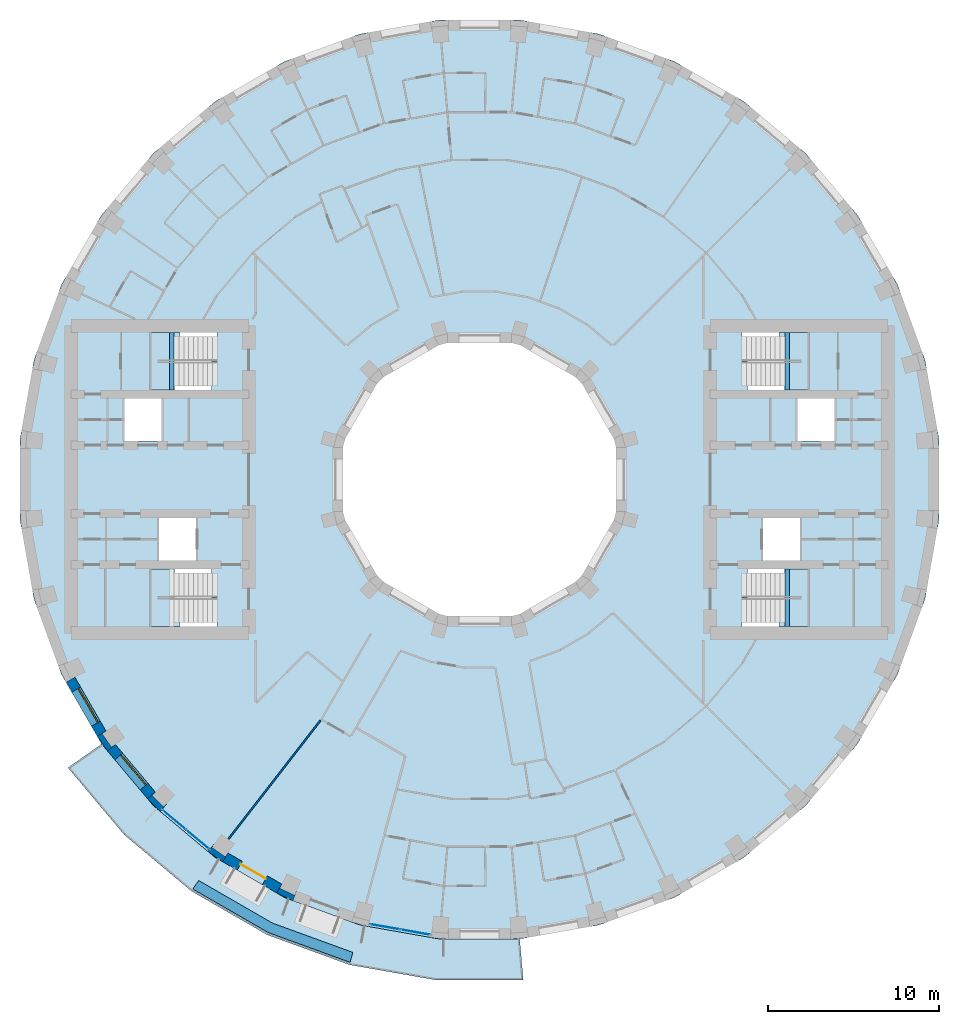
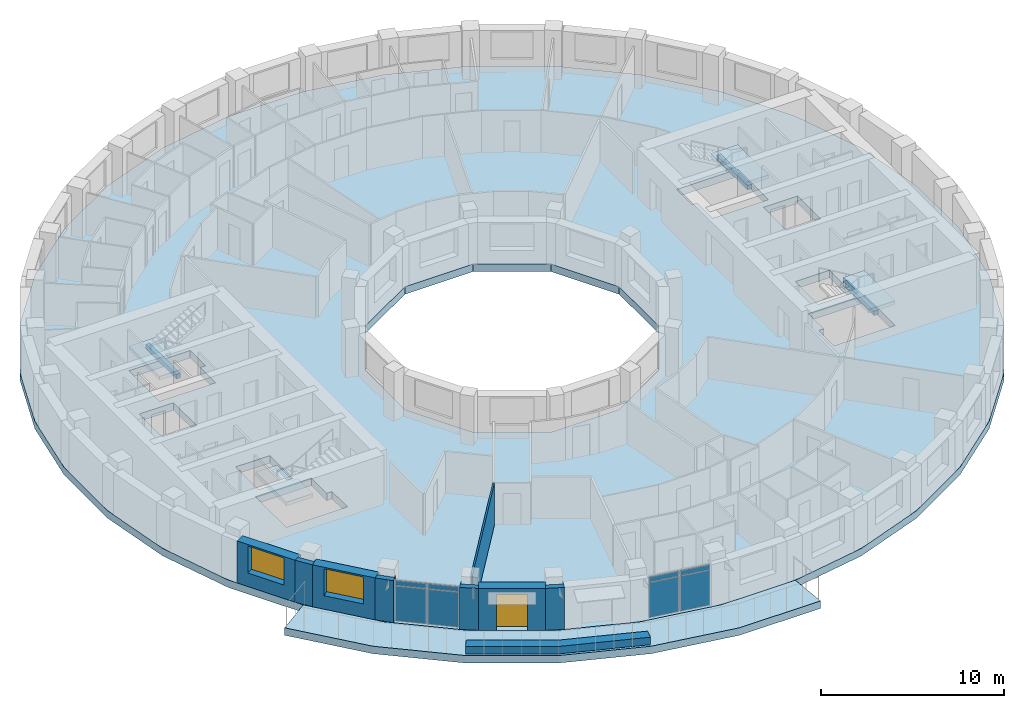
# One storey, part 3 of 14: 9 walls, 8 plates, 6 slabs, 3 beams, 2 windows, 1 door, 3 openings, 6 elements without a shape of their own.
"""IFC4 building model written with IfcOpenShell, lengths in metres."""

from ifc_helpers import new_model, si_unit, direction, frame, frame_2d, origin, origin_2d, place, context, subcontext, project, spatial, polyline, rectangle, outline, extrude, material, layer, layer_set, material_profile, profile_set, type_object, element, fill, aggregate, save


model = new_model("IFC4")

# Units and contexts
model_context = context("Model", 3, precision=1e-05, world=origin(), true_north=direction((0.0, 1.0)))
body_context = subcontext(model_context, "Body", "Model", "MODEL_VIEW")
ifc_project = project(units=[si_unit("LENGTHUNIT", "METRE"), si_unit("AREAUNIT", "SQUARE_METRE"), si_unit("VOLUMEUNIT", "CUBIC_METRE"), si_unit("PLANEANGLEUNIT", "RADIAN"), si_unit("MASSUNIT", "GRAM", prefix="KILO")], contexts=[model_context])

# Site, building, storey
site_placement = place(None, origin())
site = spatial("IfcSite", under=ifc_project, at=site_placement, CompositionType="ELEMENT")
building_placement = place(site_placement, origin())
building = spatial("IfcBuilding", under=site, at=building_placement, Name="Saqina Gate Tower", CompositionType="ELEMENT")
storey_placement = place(building_placement, frame((0.0, 0.0, 134.800048828125)))
storey = spatial("IfcBuildingStorey", under=building, at=storey_placement, Name="L38", CompositionType="ELEMENT", Elevation=134.800048828125)

# Beams
ifc_material_1 = material(Name="Concrete C40/50", Category="concrete")
ifc_material_profile = material_profile(ifc_material_1, rectangle(XDim=0.25, YDim=0.300048828125, at=origin_2d()), Name="STAIR LANDING BEAM")
ifc_profile_set = profile_set([ifc_material_profile], Name="Concrete C40/50")
beam_type = type_object("IfcBeamType", Name="STAIR LANDING BEAM", PredefinedType="BEAM", material=ifc_profile_set)
for number, where, z_axis, x_axis, name in (
    (1, (18.02001953125, 5.25, 1.25), (0.0, 1.0, 0.0), (-1.0, 0.0, 0.0), "EXIT STAIR 1 LANDING BEAM"),
    (2, (18.02001953125, -8.60009765625, 1.25), (0.0, 1.0, 0.0), (-1.0, 0.0, 0.0), "EXIT STAIR 2 LANDING BEAM"),
    (3, (-18.02001953125, 5.25, 1.25), (0.0, 1.0, 0.0), (-1.0, 0.0, 0.0), "EXIT STAIR 3 LANDING BEAM"),
):
    element("IfcBeam", number, at=place(storey_placement, frame(where, z_axis=z_axis, x_axis=x_axis)), inside=storey, type_object=beam_type, Name=name, PredefinedType="BEAM", context=body_context, shape_type="SweptSolid", body=[
        extrude(rectangle(XDim=0.25, YDim=0.300048828125, at=origin_2d()), origin(), (0.0, 0.0, 1.0), 3.35009765625),
    ])

# Curtain wall, plates
ifc_material_2 = material(Name="Aluminium glazing", Category="aluminium")
ifc_layer_1 = layer(ifc_material_2, 0.159912109375)
ifc_layer_set_1 = layer_set([ifc_layer_1], Name="CWT-4")
curtain_wall_type = type_object("IfcCurtainWallType", Name="CWT-4", PredefinedType="NOTDEFINED", material=ifc_layer_set_1)
curtain_wall_1_placement = place(storey_placement, origin())
curtain_wall_1 = element("IfcCurtainWall", 4, at=curtain_wall_1_placement, inside=storey, type_object=curtain_wall_type, Name="Terrace lounge glazing facet 23", PredefinedType="NOTDEFINED")
ifc_material_3 = material(Name="Glass", Category="glass")
ifc_layer_2 = layer(ifc_material_3, 0.028076171875)
ifc_layer_set_2 = layer_set([ifc_layer_2], Name="CWT-4P")
plate_type = type_object("IfcPlateType", Name="CWT-4P", PredefinedType="CURTAIN_PANEL", material=ifc_layer_set_2)
plate_1_placement = place(storey_placement, frame((-17.8798828125, -19.9130859375, 0.059814453125), z_axis=(0.0, 0.0, 1.0), x_axis=(0.766041744675, -0.642790825553, 0.0)))
plate_1 = element("IfcPlate", 5, at=plate_1_placement, type_object=plate_type, Name="CW4-23 panel 1.1", PredefinedType="CURTAIN_PANEL", context=body_context, shape_type="SweptSolid", body=[
    extrude(rectangle(XDim=1.73388671875, YDim=0.028076171875, at=origin_2d()), origin(), (0.0, 0.0, 1.0), 2.31005859375),
])
plate_2_placement = place(storey_placement, frame((-17.8798828125, -19.9130859375, 2.429931640625), z_axis=(0.0, 0.0, 1.0), x_axis=(0.766041744675, -0.642790825553, 0.0)))
plate_2 = element("IfcPlate", 6, at=plate_2_placement, type_object=plate_type, Name="CW4-23 panel 1.2", PredefinedType="CURTAIN_PANEL", context=body_context, shape_type="SweptSolid", body=[
    extrude(rectangle(XDim=1.73388671875, YDim=0.028076171875, at=origin_2d()), origin(), (0.0, 0.0, 1.0), 0.31005859375),
])
plate_3_placement = place(storey_placement, frame((-16.505615234375, -21.066162109375, 0.059814453125), z_axis=(0.0, 0.0, 1.0), x_axis=(0.766041744675, -0.642790825553, 0.0)))
plate_3 = element("IfcPlate", 7, at=plate_3_placement, type_object=plate_type, Name="CW4-23 panel 2.1", PredefinedType="CURTAIN_PANEL", context=body_context, shape_type="SweptSolid", body=[
    extrude(rectangle(XDim=1.73388671875, YDim=0.028076171875, at=origin_2d()), origin(), (0.0, 0.0, 1.0), 2.31005859375),
])
plate_4_placement = place(storey_placement, frame((-16.505615234375, -21.066162109375, 2.429931640625), z_axis=(0.0, 0.0, 1.0), x_axis=(0.766041744675, -0.642790825553, 0.0)))
plate_4 = element("IfcPlate", 8, at=plate_4_placement, type_object=plate_type, Name="CW4-23 panel 2.2", PredefinedType="CURTAIN_PANEL", context=body_context, shape_type="SweptSolid", body=[
    extrude(rectangle(XDim=1.73388671875, YDim=0.028076171875, at=origin_2d()), origin(), (0.0, 0.0, 1.0), 0.31005859375),
])
aggregate(curtain_wall_1, [plate_1, plate_2, plate_3, plate_4])

curtain_wall_2_placement = place(storey_placement, origin())
curtain_wall_2 = element("IfcCurtainWall", 9, at=curtain_wall_2_placement, inside=storey, type_object=curtain_wall_type, Name="Terrace lounge glazing facet 26", PredefinedType="NOTDEFINED")
plate_5_placement = place(storey_placement, frame((-5.52783203125, -26.18505859375, 0.059814453125), z_axis=(0.0, 0.0, 1.0), x_axis=(0.984809489664, -0.17363832834, 0.0)))
plate_5 = element("IfcPlate", 10, at=plate_5_placement, type_object=plate_type, Name="CW4-26 panel 1.1", PredefinedType="CURTAIN_PANEL", context=body_context, shape_type="SweptSolid", body=[
    extrude(rectangle(XDim=1.73388671875, YDim=0.028076171875, at=origin_2d()), origin(), (0.0, 0.0, 1.0), 2.31005859375),
])
plate_6_placement = place(storey_placement, frame((-5.52783203125, -26.18505859375, 2.429931640625), z_axis=(0.0, 0.0, 1.0), x_axis=(0.984809489664, -0.17363832834, 0.0)))
plate_6 = element("IfcPlate", 11, at=plate_6_placement, type_object=plate_type, Name="CW4-26 panel 1.2", PredefinedType="CURTAIN_PANEL", context=body_context, shape_type="SweptSolid", body=[
    extrude(rectangle(XDim=1.73388671875, YDim=0.028076171875, at=origin_2d()), origin(), (0.0, 0.0, 1.0), 0.31005859375),
])
plate_7_placement = place(storey_placement, frame((-3.76123046875, -26.49658203125, 0.059814453125), z_axis=(0.0, 0.0, 1.0), x_axis=(0.984809489664, -0.17363832834, 0.0)))
plate_7 = element("IfcPlate", 12, at=plate_7_placement, type_object=plate_type, Name="CW4-26 panel 2.1", PredefinedType="CURTAIN_PANEL", context=body_context, shape_type="SweptSolid", body=[
    extrude(rectangle(XDim=1.73388671875, YDim=0.028076171875, at=origin_2d()), origin(), (0.0, 0.0, 1.0), 2.31005859375),
])
plate_8_placement = place(storey_placement, frame((-3.76123046875, -26.49658203125, 2.429931640625), z_axis=(0.0, 0.0, 1.0), x_axis=(0.984809489664, -0.17363832834, 0.0)))
plate_8 = element("IfcPlate", 13, at=plate_8_placement, type_object=plate_type, Name="CW4-26 panel 2.2", PredefinedType="CURTAIN_PANEL", context=body_context, shape_type="SweptSolid", body=[
    extrude(rectangle(XDim=1.73388671875, YDim=0.028076171875, at=origin_2d()), origin(), (0.0, 0.0, 1.0), 0.31005859375),
])
aggregate(curtain_wall_2, [plate_5, plate_6, plate_7, plate_8])

# Stair, slab
ifc_material_4 = material(Name="Concrete C40/50", Category="concrete")
stair_type = type_object("IfcStairType", Name="EXIT STAIR", PredefinedType="HALF_TURN_STAIR", material=ifc_material_4)
stair_1_placement = place(storey_placement, origin())
stair_1 = element("IfcStair", 14, at=stair_1_placement, inside=storey, type_object=stair_type, Name="EXIT STAIR 1", PredefinedType="HALF_TURN_STAIR")
ifc_material_5 = material(Name="Concrete C40/50", Category="concrete")
ifc_layer_3 = layer(ifc_material_5, 0.25)
ifc_layer_set_3 = layer_set([ifc_layer_3], Name="Concrete C40/50")
slab_type_1 = type_object("IfcSlabType", Name="EXIT STAIR LANDING", PredefinedType="LANDING", material=ifc_layer_set_3)
slab_1_placement = place(storey_placement, frame((0.0, 0.0, 1.39990234375)))
slab_1 = element("IfcSlab", 15, at=slab_1_placement, type_object=slab_type_1, Name="EXIT STAIR 1 LANDING 1", PredefinedType="LANDING", context=body_context, shape_type="SweptSolid", body=[
    extrude(outline(polyline([(19.219970703125, 8.60009765625), (19.219970703125, 5.25), (17.864990234375, 5.25), (17.864990234375, 6.925048828125), (17.534423828125, 6.925048828125), (17.534423828125, 8.60009765625), (17.864990234375, 8.60009765625), (17.8701171875, 8.60009765625), (19.219970703125, 8.60009765625)])), origin(), (0.0, 0.0, 1.0), 0.25),
])
aggregate(stair_1, [slab_1])

stair_2_placement = place(storey_placement, origin())
stair_2 = element("IfcStair", 16, at=stair_2_placement, inside=storey, type_object=stair_type, Name="EXIT STAIR 2", PredefinedType="HALF_TURN_STAIR")
slab_2_placement = place(storey_placement, frame((0.0, 0.0, 1.39990234375)))
slab_2 = element("IfcSlab", 17, at=slab_2_placement, type_object=slab_type_1, Name="EXIT STAIR 2 LANDING 1", PredefinedType="LANDING", context=body_context, shape_type="SweptSolid", body=[
    extrude(outline(polyline([(17.534423828125, -8.60009765625), (17.534423828125, -6.925048828125), (17.864990234375, -6.925048828125), (17.864990234375, -5.25), (19.219970703125, -5.25), (19.219970703125, -8.60009765625), (17.8701171875, -8.60009765625), (17.864990234375, -8.60009765625), (17.534423828125, -8.60009765625)])), origin(), (0.0, 0.0, 1.0), 0.25),
])
aggregate(stair_2, [slab_2])

stair_3_placement = place(storey_placement, origin())
stair_3 = element("IfcStair", 18, at=stair_3_placement, inside=storey, type_object=stair_type, Name="EXIT STAIR 3", PredefinedType="HALF_TURN_STAIR")
slab_3_placement = place(storey_placement, frame((0.0, 0.0, 1.39990234375)))
slab_3 = element("IfcSlab", 19, at=slab_3_placement, type_object=slab_type_1, Name="EXIT STAIR 3 LANDING 1", PredefinedType="LANDING", context=body_context, shape_type="SweptSolid", body=[
    extrude(outline(polyline([(-17.864990234375, 5.25), (-19.219970703125, 5.25), (-19.219970703125, 8.60009765625), (-17.8701171875, 8.60009765625), (-17.864990234375, 8.60009765625), (-17.534423828125, 8.60009765625), (-17.534423828125, 6.925048828125), (-17.864990234375, 6.925048828125), (-17.864990234375, 5.25)])), origin(), (0.0, 0.0, 1.0), 0.25),
])
aggregate(stair_3, [slab_3])

stair_4_placement = place(storey_placement, origin())
stair_4 = element("IfcStair", 20, at=stair_4_placement, inside=storey, type_object=stair_type, Name="EXIT STAIR 4", PredefinedType="HALF_TURN_STAIR")
slab_4_placement = place(storey_placement, frame((0.0, 0.0, 1.39990234375)))
slab_4 = element("IfcSlab", 21, at=slab_4_placement, type_object=slab_type_1, Name="EXIT STAIR 4 LANDING 1", PredefinedType="LANDING", context=body_context, shape_type="SweptSolid", body=[
    extrude(outline(polyline([(-17.534423828125, -6.925048828125), (-17.534423828125, -8.60009765625), (-17.864990234375, -8.60009765625), (-17.8701171875, -8.60009765625), (-19.219970703125, -8.60009765625), (-19.219970703125, -5.25), (-17.864990234375, -5.25), (-17.864990234375, -6.925048828125), (-17.534423828125, -6.925048828125)])), origin(), (0.0, 0.0, 1.0), 0.25),
])
aggregate(stair_4, [slab_4])

# Slabs
ifc_material_6 = material(Name="Concrete C40/50", Category="concrete")
ifc_layer_4 = layer(ifc_material_6, 0.5)
ifc_layer_set_4 = layer_set([ifc_layer_4], Name="Concrete C40/50")
slab_type_2 = type_object("IfcSlabType", Name="STR-POST-TENSIONED FLAT PLATE FLOOR-500", PredefinedType="FLOOR", material=ifc_layer_set_4)
slab_5_placement = place(storey_placement, frame((0.0, 0.0, -0.5)))
element("IfcSlab", 22, at=slab_5_placement, inside=storey, type_object=slab_type_2, Name="L38-SLB01", PredefinedType="FLOOR", context=body_context, shape_type="SweptSolid", body=[
    extrude(outline(polyline([(26.080078125, -6.988037109375), (26.897216796875, -2.353271484375), (26.897216796875, 2.353271484375), (26.080078125, 6.988037109375), (24.47021484375, 11.41064453125), (22.1171875, 15.486572265625), (19.091796875, 19.091796875), (15.486572265625, 22.1171875), (11.41064453125, 24.47021484375), (6.988037109375, 26.080078125), (2.353271484375, 26.897216796875), (-2.353271484375, 26.897216796875), (-6.988037109375, 26.080078125), (-11.41064453125, 24.47021484375), (-15.486572265625, 22.1171875), (-19.091796875, 19.091796875), (-22.1171875, 15.486572265625), (-24.47021484375, 11.41064453125), (-26.080078125, 6.988037109375), (-26.897216796875, 2.353271484375), (-26.897216796875, -2.353271484375), (-26.080078125, -6.988037109375), (-24.47021484375, -11.41064453125), (-22.1171875, -15.486572265625), (-19.091796875, -19.091796875), (-15.486572265625, -22.1171875), (-11.41064453125, -24.47021484375), (-6.988037109375, -26.080078125), (-2.353271484375, -26.897216796875), (2.353271484375, -26.897216796875), (6.988037109375, -26.080078125), (11.41064453125, -24.47021484375), (15.486572265625, -22.1171875), (19.091796875, -19.091796875), (22.1171875, -15.486572265625), (24.47021484375, -11.41064453125), (26.080078125, -6.988037109375)]), holes=[polyline([(2.1435546875, 8.0), (5.8564453125, 5.8564453125), (8.0, 2.1435546875), (8.0, -2.1435546875), (5.8564453125, -5.8564453125), (2.1435546875, -8.0), (-2.1435546875, -8.0), (-5.8564453125, -5.8564453125), (-8.0, -2.1435546875), (-8.0, 2.1435546875), (-5.8564453125, 5.8564453125), (-2.1435546875, 8.0), (2.1435546875, 8.0)]), polyline([(-15.35498046875, -8.60009765625), (-19.219970703125, -8.60009765625), (-19.219970703125, -6.925048828125), (-19.219970703125, -5.25), (-15.685546875, -5.25), (-15.685546875, -6.925048828125), (-15.35498046875, -6.925048828125), (-15.35498046875, -8.60009765625)]), polyline([(-16.590087890625, -2.25), (-16.590087890625, -4.75), (-18.75, -4.75), (-18.75, -2.25), (-16.590087890625, -2.25)]), polyline([(-20.780029296875, 4.75), (-18.6201171875, 4.75), (-18.6201171875, 2.25), (-20.780029296875, 2.25), (-20.780029296875, 4.75)]), polyline([(-19.219970703125, 6.925048828125), (-19.219970703125, 8.60009765625), (-15.35498046875, 8.60009765625), (-15.35498046875, 6.925048828125), (-15.685546875, 6.925048828125), (-15.685546875, 5.25), (-19.219970703125, 5.25), (-19.219970703125, 6.925048828125)]), polyline([(15.35498046875, -8.60009765625), (15.35498046875, -6.925048828125), (15.685546875, -6.925048828125), (15.685546875, -5.25), (19.219970703125, -5.25), (19.219970703125, -6.925048828125), (19.219970703125, -8.60009765625), (15.35498046875, -8.60009765625)]), polyline([(18.75, -2.25), (18.75, -4.75), (16.590087890625, -4.75), (16.590087890625, -2.25), (18.75, -2.25)]), polyline([(18.6201171875, 4.75), (20.780029296875, 4.75), (20.780029296875, 2.25), (18.6201171875, 2.25), (18.6201171875, 4.75)]), polyline([(15.685546875, 6.925048828125), (15.35498046875, 6.925048828125), (15.35498046875, 8.60009765625), (19.219970703125, 8.60009765625), (19.219970703125, 6.925048828125), (19.219970703125, 5.25), (15.685546875, 5.25), (15.685546875, 6.925048828125)])]), origin(), (0.0, 0.0, 1.0), 0.5),
])
ifc_material_7 = material(Name="Concrete C40/50", Category="concrete")
ifc_layer_5 = layer(ifc_material_7, 0.5)
ifc_layer_set_5 = layer_set([ifc_layer_5], Name="Concrete C40/50")
slab_type_3 = type_object("IfcSlabType", Name="STR-POST-TENSIONED FLAT PLATE TERRACE-500", PredefinedType="FLOOR", material=ifc_layer_set_5)
slab_6_placement = place(storey_placement, frame((0.0, 0.0, -0.5)))
element("IfcSlab", 23, at=slab_6_placement, inside=storey, type_object=slab_type_3, Name="L38-TRS01", PredefinedType="FLOOR", context=body_context, shape_type="SweptSolid", body=[
    extrude(outline(polyline([(-22.1171875, -15.486572265625), (-19.091796875, -19.091796875), (-15.486572265625, -22.1171875), (-11.41064453125, -24.47021484375), (-6.988037109375, -26.080078125), (-2.353271484375, -26.897216796875), (2.353271484375, -26.897216796875), (2.563232421875, -29.29736328125), (-2.563232421875, -29.29736328125), (-7.611572265625, -28.406982421875), (-12.428955078125, -26.65380859375), (-16.868408203125, -24.090576171875), (-20.79541015625, -20.79541015625), (-24.090576171875, -16.868408203125), (-22.1171875, -15.486572265625)])), origin(), (0.0, 0.0, 1.0), 0.5),
])

# Walls
ifc_material_8 = material(Name="Brick masonry (buff)", Category="masonry")
wall_type_1 = type_object("IfcWallType", Name="BRICK PIER COPING BUFF", PredefinedType="SOLIDWALL", material=ifc_material_8)
wall_1_placement = place(storey_placement, origin())
element("IfcWall", 24, at=wall_1_placement, inside=storey, type_object=wall_type_1, Name="Pier cap L38 column 22", PredefinedType="SOLIDWALL", context=body_context, shape_type="SweptSolid", body=[
    extrude(outline(polyline([(-21.77685546875, -15.89208984375), (-21.317138671875, -15.50634765625), (-21.53759765625, -15.66064453125), (-22.08251953125, -14.88232421875), (-21.862060546875, -14.728271484375), (-22.3818359375, -15.0283203125), (-21.77685546875, -15.89208984375)])), origin(), (0.0, 0.0, 1.0), 2.800048828125),
])
wall_2_placement = place(storey_placement, origin())
element("IfcWall", 25, at=wall_2_placement, inside=storey, type_object=wall_type_1, Name="Pier cap L38 column 23", PredefinedType="SOLIDWALL", context=body_context, shape_type="SweptSolid", body=[
    extrude(outline(polyline([(-19.43212890625, -18.686279296875), (-18.686279296875, -19.43212890625), (-18.30078125, -18.972412109375), (-18.49072265625, -19.16259765625), (-19.16259765625, -18.49072265625), (-18.972412109375, -18.30078125), (-19.43212890625, -18.686279296875)])), origin(), (0.0, 0.0, 1.0), 2.800048828125),
])
wall_3_placement = place(storey_placement, origin())
element("IfcWall", 26, at=wall_3_placement, inside=storey, type_object=wall_type_1, Name="Pier cap L38 column 24", PredefinedType="SOLIDWALL", context=body_context, shape_type="SweptSolid", body=[
    extrude(outline(polyline([(-15.0283203125, -22.3818359375), (-14.728271484375, -21.862060546875), (-14.88232421875, -22.08251953125), (-15.66064453125, -21.53759765625), (-15.50634765625, -21.317138671875), (-15.89208984375, -21.77685546875), (-15.0283203125, -22.3818359375)])), origin(), (0.0, 0.0, 1.0), 2.800048828125),
])
wall_4_placement = place(storey_placement, origin())
element("IfcWall", 27, at=wall_4_placement, inside=storey, type_object=wall_type_1, Name="Pier cap L38 column 25", PredefinedType="SOLIDWALL", context=body_context, shape_type="SweptSolid", body=[
    extrude(outline(polyline([(-10.913330078125, -24.6513671875), (-10.7080078125, -24.08740234375), (-10.82177734375, -24.331298828125), (-11.6826171875, -23.9296875), (-11.569091796875, -23.68603515625), (-11.869140625, -24.205810546875), (-10.913330078125, -24.6513671875)])), origin(), (0.0, 0.0, 1.0), 2.800048828125),
])

# Wall, opening, window
ifc_material_9 = material(Name="Brick masonry (buff)", Category="masonry")
ifc_layer_6 = layer(ifc_material_9, 0.60009765625)
ifc_layer_set_6 = layer_set([ifc_layer_6], Name="FW-BRICK-BUFF")
wall_type_2 = type_object("IfcWallType", Name="FW-BRICK-BUFF", PredefinedType="SOLIDWALL", material=ifc_layer_set_6)
wall_5_placement = place(storey_placement, frame((-23.94580078125, -11.718994140625, 0.0), z_axis=(0.0, 0.0, 1.0), x_axis=(0.499954196102, -0.866051847062, 0.0)))
wall_5 = element("IfcWall", 28, at=wall_5_placement, inside=storey, type_object=wall_type_2, Name="Facade wall L38 facet 21", PredefinedType="SOLIDWALL", context=body_context, shape_type="SweptSolid", body=[
    extrude(rectangle(XDim=3.647705078125, YDim=0.60009765625, at=frame_2d((1.82373046875, 0.0))), origin(), (0.0, 0.0, 1.0), 2.800048828125),
])
opening_1_placement = place(wall_5_placement, frame((0.673828125, 0.0, 0.89990234375)))
opening_1 = element("IfcOpeningElement", 29, at=opening_1_placement, cuts=wall_5, Name="Opening G11-W14", PredefinedType="OPENING", context=body_context, shape_type="SweptSolid", body=[
    extrude(rectangle(XDim=2.300048828125, YDim=1.800048828125, at=frame_2d((1.14990234375, 0.89990234375))), frame((0.0, 0.31201171875, 0.0), z_axis=(0.0, -1.0, 0.0), x_axis=(1.0, 0.0, 0.0)), (0.0, 0.0, 1.0), 0.6240234375),
])
ifc_material_10 = material(Name="Aluminium glazing", Category="aluminium")
window_type = type_object("IfcWindowType", Name="WN-B", PartitioningType="SINGLE_PANEL", PredefinedType="WINDOW", material=ifc_material_10)
window_1_placement = place(opening_1_placement, origin())
window_1 = element("IfcWindow", 30, at=window_1_placement, inside=storey, type_object=window_type, Name="Window L38 facet 21", OverallHeight=1.800048828125, OverallWidth=2.300048828125, PartitioningType="SINGLE_PANEL", PredefinedType="WINDOW", context=body_context, shape_type="SweptSolid", body=[
    extrude(rectangle(XDim=2.300048828125, YDim=1.800048828125, at=frame_2d((1.14990234375, 0.89990234375))), frame((0.0, 0.179931640625, 0.0), z_axis=(0.0, -1.0, 0.0), x_axis=(1.0, 0.0, 0.0)), (0.0, 0.0, 1.0), 0.06005859375),
])
fill(opening_1, window_1)

wall_6_placement = place(storey_placement, frame((-21.547119140625, -15.69921875, 0.0), z_axis=(0.0, 0.0, 1.0), x_axis=(0.642774476932, -0.766055462616, 0.0)))
wall_6 = element("IfcWall", 31, at=wall_6_placement, inside=storey, type_object=wall_type_2, Name="Facade wall L38 facet 22", PredefinedType="SOLIDWALL", context=body_context, shape_type="SweptSolid", body=[
    extrude(rectangle(XDim=3.647705078125, YDim=0.60009765625, at=frame_2d((1.82373046875, 0.0))), origin(), (0.0, 0.0, 1.0), 2.800048828125),
])
opening_2_placement = place(wall_6_placement, frame((0.673828125, 0.0, 0.89990234375)))
opening_2 = element("IfcOpeningElement", 32, at=opening_2_placement, cuts=wall_6, Name="Opening G11-W15", PredefinedType="OPENING", context=body_context, shape_type="SweptSolid", body=[
    extrude(rectangle(XDim=2.300048828125, YDim=1.800048828125, at=frame_2d((1.14990234375, 0.89990234375))), frame((0.0, 0.31201171875, 0.0), z_axis=(0.0, -1.0, 0.0), x_axis=(1.0, 0.0, 0.0)), (0.0, 0.0, 1.0), 0.6240234375),
])
window_2_placement = place(opening_2_placement, origin())
window_2 = element("IfcWindow", 33, at=window_2_placement, inside=storey, type_object=window_type, Name="Window L38 facet 22", OverallHeight=1.800048828125, OverallWidth=2.300048828125, PartitioningType="SINGLE_PANEL", PredefinedType="WINDOW", context=body_context, shape_type="SweptSolid", body=[
    extrude(rectangle(XDim=2.300048828125, YDim=1.800048828125, at=frame_2d((1.14990234375, 0.89990234375))), frame((0.0, 0.179931640625, 0.0), z_axis=(0.0, -1.0, 0.0), x_axis=(1.0, 0.0, 0.0)), (0.0, 0.0, 1.0), 0.06005859375),
])
fill(opening_2, window_2)

# Wall, opening, door
wall_7_placement = place(storey_placement, frame((-14.878173828125, -22.1220703125, 0.0), z_axis=(0.0, 0.0, 1.0), x_axis=(0.866051847062, -0.499954196102, 0.0)))
wall_7 = element("IfcWall", 34, at=wall_7_placement, inside=storey, type_object=wall_type_2, Name="Facade wall L38 facet 24", PredefinedType="SOLIDWALL", context=body_context, shape_type="SweptSolid", body=[
    extrude(rectangle(XDim=3.647705078125, YDim=0.60009765625, at=frame_2d((1.82373046875, 0.0))), origin(), (0.0, 0.0, 1.0), 2.800048828125),
])
opening_3_placement = place(wall_7_placement, frame((0.973876953125, 0.0, 0.0)))
opening_3 = element("IfcOpeningElement", 35, at=opening_3_placement, cuts=wall_7, Name="Opening G11-D80", PredefinedType="OPENING", context=body_context, shape_type="SweptSolid", body=[
    extrude(rectangle(XDim=1.699951171875, YDim=2.39990234375, at=frame_2d((0.85009765625, 1.199951171875))), frame((0.0, 0.31201171875, 0.0), z_axis=(0.0, -1.0, 0.0), x_axis=(1.0, 0.0, 0.0)), (0.0, 0.0, 1.0), 0.6240234375),
])
ifc_material_11 = material(Name="Aluminium glazing", Category="aluminium")
door_type = type_object("IfcDoorType", Name="GD-B", OperationType="DOUBLE_DOOR_SINGLE_SWING", PredefinedType="DOOR", material=ifc_material_11)
door_placement = place(opening_3_placement, origin())
door = element("IfcDoor", 36, at=door_placement, inside=storey, type_object=door_type, Name="Terrace door L38 facet 24", OperationType="DOUBLE_DOOR_SINGLE_SWING", OverallHeight=2.39990234375, OverallWidth=1.699951171875, PredefinedType="DOOR", context=body_context, shape_type="SweptSolid", body=[
    extrude(rectangle(XDim=1.699951171875, YDim=2.39990234375, at=frame_2d((0.85009765625, 1.199951171875))), frame((0.0, 0.125, 0.0), z_axis=(0.0, -1.0, 0.0), x_axis=(1.0, 0.0, 0.0)), (0.0, 0.0, 1.0), 0.050048828125),
])
fill(opening_3, door)

# Walls
ifc_material_12 = material(Name="Gypsum board on steel studs, 100 mm", Category="steel")
ifc_layer_7 = layer(ifc_material_12, 0.10009765625)
ifc_layer_set_7 = layer_set([ifc_layer_7], Name="PARTITION 100")
wall_type_3 = type_object("IfcWallType", Name="PARTITION 100", PredefinedType="PARTITIONING", material=ifc_layer_set_7)
wall_8_placement = place(storey_placement, frame((-14.69140625, -21.044189453125, 0.0), z_axis=(0.0, 0.0, 1.0), x_axis=(0.612857497435, 0.79019344963, 0.0)))
element("IfcWall", 37, at=wall_8_placement, inside=storey, type_object=wall_type_3, Name="PARTITION PW3-72", PredefinedType="PARTITIONING", context=body_context, shape_type="SweptSolid", body=[
    extrude(rectangle(XDim=8.790283203125, YDim=0.10009765625, at=frame_2d((4.39501953125, 0.0))), origin(), (0.0, 0.0, 1.0), 2.800048828125),
])
ifc_material_13 = material(Name="Brick masonry (red)", Category="masonry")
ifc_layer_8 = layer(ifc_material_13, 0.60009765625)
ifc_layer_set_8 = layer_set([ifc_layer_8], Name="PL-PLANTER")
wall_type_4 = type_object("IfcWallType", Name="PL-PLANTER", PredefinedType="PARAPET", material=ifc_layer_set_8)
wall_9_placement = place(storey_placement, origin())
element("IfcWall", 38, at=wall_9_placement, inside=storey, type_object=wall_type_4, Name="Planter L38", PredefinedType="PARAPET", context=body_context, shape_type="SweptSolid", body=[
    extrude(outline(polyline([(-16.781982421875, -23.96728515625), (-12.365234375, -26.517333984375), (-7.57275390625, -28.26171875), (-7.416748046875, -27.679931640625), (-12.110595703125, -25.971435546875), (-16.4365234375, -23.473876953125), (-16.781982421875, -23.96728515625)])), origin(), (0.0, 0.0, 1.0), 0.5),
])

save(model, "model.ifc")
